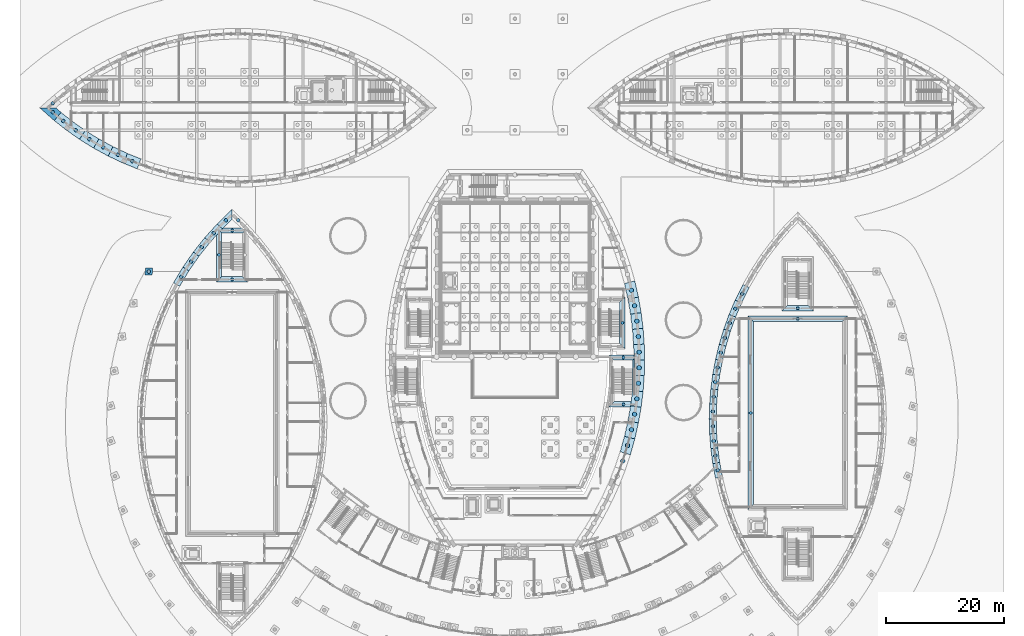
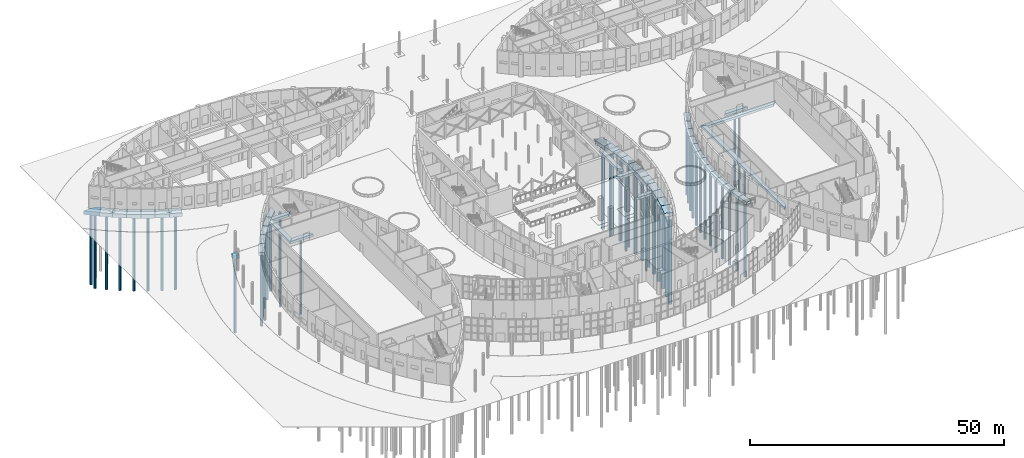
# One storey, part 5 of 82: 49 piles, 47 footings.
"""IFC4 building model written with IfcOpenShell, lengths in metres."""

from ifc_helpers import new_model, si_unit, direction, frame, origin, origin_2d, place, context, subcontext, project, spatial, polyline, rectangle, circle, outline, extrude, material, material_profile, profile_set, type_object, element, save


model = new_model("IFC4")

# Units and contexts
model_context = context("Model", 3, precision=1e-05, world=origin(), true_north=direction((0.0, 1.0)))
body_context = subcontext(model_context, "Body", "Model", "MODEL_VIEW")
ifc_project = project(units=[si_unit("LENGTHUNIT", "METRE"), si_unit("AREAUNIT", "SQUARE_METRE"), si_unit("VOLUMEUNIT", "CUBIC_METRE"), si_unit("PLANEANGLEUNIT", "RADIAN"), si_unit("MASSUNIT", "GRAM", prefix="KILO")], contexts=[model_context])

# Site, building, storey
site_placement = place(None, origin())
site = spatial("IfcSite", under=ifc_project, at=site_placement, CompositionType="ELEMENT")
building_placement = place(site_placement, origin())
building = spatial("IfcBuilding", under=site, at=building_placement, Name="Tide Square Theatres", CompositionType="ELEMENT")
storey_placement = place(building_placement, origin())
storey = spatial("IfcBuildingStorey", under=building, at=storey_placement, Name="L00", CompositionType="ELEMENT", Elevation=0.0)

# Piles
ifc_material_1 = material(Name="Concrete C30", Category="concrete")
ifc_material_profile_1 = material_profile(ifc_material_1, circle(Radius=0.25, at=origin_2d()))
ifc_profile_set_1 = profile_set([ifc_material_profile_1], Name="Concrete C30")
pile_type_1 = type_object("IfcPileType", Name="Bored pile D500", PredefinedType="BORED", material=ifc_profile_set_1)
for number, where, z_axis, x_axis, name in (
    (1, (102.22509765625, 61.300048828125, -0.699951171875), (0.0, 0.0, -1.0), (1.0, 0.0, 0.0), "Bored pile 006"),
    (2, (102.39990234375, 47.47509765625, -0.699951171875), (0.0, 0.0, -1.0), (1.0, 0.0, 0.0), "Bored pile 009"),
    (3, (102.39990234375, 55.425048828125, -0.699951171875), (0.0, 0.0, -1.0), (1.0, 0.0, 0.0), "Bored pile 010"),
    (4, (36.0, 76.97509765625, -0.699951171875), (0.0, 0.0, -1.0), (1.0, 0.0, 0.0), "Bored pile 062"),
    (5, (33.77490234375, 72.824951171875, -0.699951171875), (0.0, 0.0, -1.0), (1.0, 0.0, 0.0), "Bored pile 063"),
    (6, (36.0, 68.675048828125, -0.699951171875), (0.0, 0.0, -1.0), (1.0, 0.0, 0.0), "Bored pile 064"),
    (7, (132.0, 62.0, -0.699951171875), (0.0, 0.0, -1.0), (1.0, 0.0, 0.0), "Bored pile 057"),
    (8, (124.0, 46.0, -0.699951171875), (0.0, 0.0, -1.0), (1.0, 0.0, 0.0), "Bored pile 058"),
    (9, (132.0, 63.77490234375, -0.699951171875), (0.0, 0.0, -1.0), (1.0, 0.0, 0.0), "Bored pile 064"),
):
    element("IfcPile", number, at=place(storey_placement, frame(where, z_axis=z_axis, x_axis=x_axis)), inside=storey, type_object=pile_type_1, Name=name, PredefinedType="BORED", context=body_context, shape_type="SweptSolid", body=[
        extrude(circle(Radius=0.25, at=origin_2d()), origin(), (0.0, 0.0, 1.0), 18.14990234375),
    ])
ifc_material_2 = material(Name="Concrete C30", Category="concrete")
ifc_material_profile_2 = material_profile(ifc_material_2, circle(Radius=0.300048828125, at=origin_2d()))
ifc_profile_set_2 = profile_set([ifc_material_profile_2], Name="Concrete C30")
pile_type_2 = type_object("IfcPileType", Name="Bored pile D600", PredefinedType="BORED", material=ifc_profile_set_2)
for number, where, z_axis, x_axis, name in (
    (10, (21.8544921875, 70.0, -1.0), (0.0, 0.0, -1.0), (1.0, 0.0, 0.0), "Foyer bored pile"),
    (11, (37.049560546875, 78.701416015625, -0.800048828125), (0.0, 0.0, -1.0), (1.0, 0.0, 0.0), "Bored pile 028"),
    (12, (34.950439453125, 78.701416015625, -0.800048828125), (0.0, 0.0, -1.0), (1.0, 0.0, 0.0), "Bored pile 029"),
    (13, (32.856689453125, 76.5263671875, -0.800048828125), (0.0, 0.0, -1.0), (1.0, 0.0, 0.0), "Bored pile 030"),
    (14, (30.859619140625, 74.167236328125, -0.800048828125), (0.0, 0.0, -1.0), (1.0, 0.0, 0.0), "Bored pile 031"),
    (15, (29.031982421875, 71.70166015625, -0.800048828125), (0.0, 0.0, -1.0), (1.0, 0.0, 0.0), "Bored pile 032"),
    (16, (27.366455078125, 69.123779296875, -0.800048828125), (0.0, 0.0, -1.0), (1.0, 0.0, 0.0), "Bored pile 033"),
    (17, (122.5712890625, 66.2294921875, -0.800048828125), (0.0, 0.0, -1.0), (1.0, 0.0, 0.0), "Bored pile 034"),
    (18, (121.405517578125, 63.70751953125, -0.800048828125), (0.0, 0.0, -1.0), (1.0, 0.0, 0.0), "Bored pile 035"),
    (19, (120.444091796875, 61.263427734375, -0.800048828125), (0.0, 0.0, -1.0), (1.0, 0.0, 0.0), "Bored pile 036"),
    (20, (119.6181640625, 58.770263671875, -0.800048828125), (0.0, 0.0, -1.0), (1.0, 0.0, 0.0), "Bored pile 037"),
    (21, (118.9306640625, 56.235107421875, -0.800048828125), (0.0, 0.0, -1.0), (1.0, 0.0, 0.0), "Bored pile 038"),
    (22, (118.392822265625, 53.7255859375, -0.800048828125), (0.0, 0.0, -1.0), (1.0, 0.0, 0.0), "Bored pile 039"),
    (23, (118.0, 51.249755859375, -0.800048828125), (0.0, 0.0, -1.0), (1.0, 0.0, 0.0), "Bored pile 040"),
    (24, (117.7373046875, 48.756591796875, -0.800048828125), (0.0, 0.0, -1.0), (1.0, 0.0, 0.0), "Bored pile 041"),
    (25, (117.60595703125, 46.25341796875, -0.800048828125), (0.0, 0.0, -1.0), (1.0, 0.0, 0.0), "Bored pile 042"),
    (26, (117.60595703125, 43.74658203125, -0.800048828125), (0.0, 0.0, -1.0), (1.0, 0.0, 0.0), "Bored pile 043"),
    (27, (117.7373046875, 41.243408203125, -0.800048828125), (0.0, 0.0, -1.0), (1.0, 0.0, 0.0), "Bored pile 044"),
    (28, (118.0, 38.750244140625, -0.800048828125), (0.0, 0.0, -1.0), (1.0, 0.0, 0.0), "Bored pile 045"),
    (29, (118.392822265625, 36.2744140625, -0.800048828125), (0.0, 0.0, -1.0), (1.0, 0.0, 0.0), "Bored pile 046"),
    (30, (5.545166015625, 97.06005859375, -1.0), (0.0, 0.0, -1.0), (1.0, 0.0, 0.0), "Scenery Workshops wall pile 1"),
    (31, (7.353515625, 95.555908203125, -1.0), (0.0, 0.0, -1.0), (1.0, 0.0, 0.0), "Scenery Workshops wall pile 2"),
    (32, (9.452392578125, 93.992431640625, -1.0), (0.0, 0.0, -1.0), (1.0, 0.0, 0.0), "Scenery Workshops wall pile 3"),
    (33, (11.761474609375, 92.461181640625, -1.0), (0.0, 0.0, -1.0), (1.0, 0.0, 0.0), "Scenery Workshops wall pile 4"),
    (34, (14.155517578125, 91.06640625, -1.0), (0.0, 0.0, -1.0), (1.0, 0.0, 0.0), "Scenery Workshops wall pile 5"),
    (35, (16.62646484375, 89.812744140625, -1.0), (0.0, 0.0, -1.0), (1.0, 0.0, 0.0), "Scenery Workshops wall pile 6"),
    (36, (19.043701171875, 88.75, -1.0), (0.0, 0.0, -1.0), (1.0, 0.0, 0.0), "Scenery Workshops wall pile 7"),
    (37, (5.545166015625, 98.539794921875, -1.0), (0.0, 0.0, -1.0), (1.0, 0.0, 0.0), "Scenery Workshops wall pile 56"),
):
    element("IfcPile", number, at=place(storey_placement, frame(where, z_axis=z_axis, x_axis=x_axis)), inside=storey, type_object=pile_type_2, Name=name, PredefinedType="BORED", context=body_context, shape_type="SweptSolid", body=[
        extrude(circle(Radius=0.300048828125, at=origin_2d()), origin(), (0.0, 0.0, 1.0), 18.14990234375),
    ])
ifc_material_3 = material(Name="Concrete C30", Category="concrete")
ifc_material_profile_3 = material_profile(ifc_material_3, circle(Radius=0.375, at=origin_2d()))
ifc_profile_set_3 = profile_set([ifc_material_profile_3], Name="Concrete C30")
pile_type_3 = type_object("IfcPileType", Name="Bored pile D750", PredefinedType="BORED", material=ifc_profile_set_3)
for number, where, z_axis, x_axis, name in (
    (38, (102.285888671875, 37.857421875, -0.75), (0.0, 0.0, -1.0), (1.0, 0.0, 0.0), "Bored pile"),
    (39, (103.09619140625, 40.48681640625, -0.75), (0.0, 0.0, -1.0), (1.0, 0.0, 0.0), "Bored pile"),
    (40, (103.77099609375, 43.154296875, -0.75), (0.0, 0.0, -1.0), (1.0, 0.0, 0.0), "Bored pile"),
    (41, (104.30029296875, 45.79833984375, -0.75), (0.0, 0.0, -1.0), (1.0, 0.0, 0.0), "Bored pile"),
    (42, (104.6884765625, 48.411376953125, -0.75), (0.0, 0.0, -1.0), (1.0, 0.0, 0.0), "Bored pile"),
    (43, (104.94775390625, 51.04052734375, -0.75), (0.0, 0.0, -1.0), (1.0, 0.0, 0.0), "Bored pile"),
    (44, (105.077392578125, 53.67919921875, -0.75), (0.0, 0.0, -1.0), (1.0, 0.0, 0.0), "Bored pile"),
    (45, (105.077392578125, 56.32080078125, -0.75), (0.0, 0.0, -1.0), (1.0, 0.0, 0.0), "Bored pile"),
    (46, (104.94775390625, 58.95947265625, -0.75), (0.0, 0.0, -1.0), (1.0, 0.0, 0.0), "Bored pile"),
    (47, (104.6884765625, 61.588623046875, -0.75), (0.0, 0.0, -1.0), (1.0, 0.0, 0.0), "Bored pile"),
    (48, (104.30029296875, 64.20166015625, -0.75), (0.0, 0.0, -1.0), (1.0, 0.0, 0.0), "Bored pile"),
    (49, (103.77099609375, 66.845703125, -0.75), (0.0, 0.0, -1.0), (1.0, 0.0, 0.0), "Bored pile"),
):
    element("IfcPile", number, at=place(storey_placement, frame(where, z_axis=z_axis, x_axis=x_axis)), inside=storey, type_object=pile_type_3, Name=name, PredefinedType="BORED", context=body_context, shape_type="SweptSolid", body=[
        extrude(circle(Radius=0.375, at=origin_2d()), origin(), (0.0, 0.0, 1.0), 20.14990234375),
    ])

# Footings
ifc_material_4 = material(Name="Concrete C35", Category="concrete")
footing_type_1 = type_object("IfcFootingType", Name="Pile cap 1 piles D600", PredefinedType="PILE_CAP", material=ifc_material_4)
footing_1_placement = place(storey_placement, frame((21.8544921875, 70.0, -1.14990234375), z_axis=(0.0, 0.0, 1.0), x_axis=(-0.032166104697, -0.99948253697, 0.0)))
element("IfcFooting", 50, at=footing_1_placement, inside=storey, type_object=footing_type_1, Name="Foyer pile cap", PredefinedType="PILE_CAP", context=body_context, shape_type="SweptSolid", body=[
    extrude(rectangle(XDim=1.199951171875, YDim=1.199951171875, at=origin_2d()), origin(), (0.0, 0.0, 1.0), 0.89990234375),
])
ifc_material_5 = material(Name="Concrete C35", Category="concrete")
footing_type_2 = type_object("IfcFootingType", Name="Strip footing 1200 x 700", PredefinedType="STRIP_FOOTING", material=ifc_material_5)
footing_2_placement = place(storey_placement, frame((0.0, 0.0, -0.949951171875)))
element("IfcFooting", 51, at=footing_2_placement, inside=storey, type_object=footing_type_2, Name="Studio Theatre wall strip footing 029", PredefinedType="STRIP_FOOTING", context=body_context, shape_type="SweptSolid", body=[
    extrude(outline(polyline([(36.0, 80.5576171875), (33.46875, 78.0986328125), (34.3330078125, 77.26513671875), (36.0, 78.884521484375), (36.0, 80.5576171875)])), origin(), (0.0, 0.0, 1.0), 0.699951171875),
])
footing_3_placement = place(storey_placement, frame((0.0, 0.0, -0.949951171875)))
element("IfcFooting", 52, at=footing_3_placement, inside=storey, type_object=footing_type_2, Name="Studio Theatre wall strip footing 030", PredefinedType="STRIP_FOOTING", context=body_context, shape_type="SweptSolid", body=[
    extrude(outline(polyline([(33.46875, 78.0986328125), (31.354736328125, 75.758544921875), (32.27099609375, 74.98291015625), (34.3330078125, 77.26513671875), (33.46875, 78.0986328125)])), origin(), (0.0, 0.0, 1.0), 0.699951171875),
])
footing_4_placement = place(storey_placement, frame((0.0, 0.0, -0.949951171875)))
element("IfcFooting", 53, at=footing_4_placement, inside=storey, type_object=footing_type_2, Name="Studio Theatre wall strip footing 031", PredefinedType="STRIP_FOOTING", context=body_context, shape_type="SweptSolid", body=[
    extrude(outline(polyline([(31.354736328125, 75.758544921875), (29.423828125, 73.3212890625), (30.388427734375, 72.6064453125), (32.27099609375, 74.98291015625), (31.354736328125, 75.758544921875)])), origin(), (0.0, 0.0, 1.0), 0.699951171875),
])
footing_5_placement = place(storey_placement, frame((0.0, 0.0, -0.949951171875)))
element("IfcFooting", 54, at=footing_5_placement, inside=storey, type_object=footing_type_2, Name="Studio Theatre wall strip footing 032", PredefinedType="STRIP_FOOTING", context=body_context, shape_type="SweptSolid", body=[
    extrude(outline(polyline([(29.423828125, 73.3212890625), (27.653564453125, 70.765380859375), (28.662109375, 70.11376953125), (30.388427734375, 72.6064453125), (29.423828125, 73.3212890625)])), origin(), (0.0, 0.0, 1.0), 0.699951171875),
])
footing_6_placement = place(storey_placement, frame((0.0, 0.0, -0.949951171875)))
element("IfcFooting", 55, at=footing_6_placement, inside=storey, type_object=footing_type_2, Name="Studio Theatre wall strip footing 033", PredefinedType="STRIP_FOOTING", context=body_context, shape_type="SweptSolid", body=[
    extrude(outline(polyline([(27.653564453125, 70.765380859375), (26.051025390625, 68.100830078125), (27.09912109375, 67.515380859375), (28.662109375, 70.11376953125), (27.653564453125, 70.765380859375)])), origin(), (0.0, 0.0, 1.0), 0.699951171875),
])
footing_7_placement = place(storey_placement, frame((0.0, 0.0, -0.949951171875)))
element("IfcFooting", 56, at=footing_7_placement, inside=storey, type_object=footing_type_2, Name="Black Box Theatre wall strip footing 034", PredefinedType="STRIP_FOOTING", context=body_context, shape_type="SweptSolid", body=[
    extrude(outline(polyline([(122.693115234375, 67.825927734375), (121.37451171875, 65.167236328125), (122.465087890625, 64.665283203125), (123.751953125, 67.259765625), (122.693115234375, 67.825927734375)])), origin(), (0.0, 0.0, 1.0), 0.699951171875),
])
footing_8_placement = place(storey_placement, frame((0.0, 0.0, -0.949951171875)))
element("IfcFooting", 57, at=footing_8_placement, inside=storey, type_object=footing_type_2, Name="Black Box Theatre wall strip footing 035", PredefinedType="STRIP_FOOTING", context=body_context, shape_type="SweptSolid", body=[
    extrude(outline(polyline([(121.37451171875, 65.167236328125), (120.33251953125, 62.718505859375), (121.44970703125, 62.279052734375), (122.465087890625, 64.665283203125), (121.37451171875, 65.167236328125)])), origin(), (0.0, 0.0, 1.0), 0.699951171875),
])
footing_9_placement = place(storey_placement, frame((0.0, 0.0, -0.949951171875)))
element("IfcFooting", 58, at=footing_9_placement, inside=storey, type_object=footing_type_2, Name="Black Box Theatre wall strip footing 036", PredefinedType="STRIP_FOOTING", context=body_context, shape_type="SweptSolid", body=[
    extrude(outline(polyline([(120.33251953125, 62.718505859375), (119.427001953125, 60.216796875), (120.566650390625, 59.839599609375), (121.44970703125, 62.279052734375), (120.33251953125, 62.718505859375)])), origin(), (0.0, 0.0, 1.0), 0.699951171875),
])
footing_10_placement = place(storey_placement, frame((0.0, 0.0, -0.949951171875)))
element("IfcFooting", 59, at=footing_10_placement, inside=storey, type_object=footing_type_2, Name="Black Box Theatre wall strip footing 037", PredefinedType="STRIP_FOOTING", context=body_context, shape_type="SweptSolid", body=[
    extrude(outline(polyline([(119.427001953125, 60.216796875), (118.660400390625, 57.669189453125), (119.81884765625, 57.35498046875), (120.566650390625, 59.839599609375), (119.427001953125, 60.216796875)])), origin(), (0.0, 0.0, 1.0), 0.699951171875),
])
footing_11_placement = place(storey_placement, frame((0.0, 0.0, -0.949951171875)))
element("IfcFooting", 60, at=footing_11_placement, inside=storey, type_object=footing_type_2, Name="Black Box Theatre wall strip footing 038", PredefinedType="STRIP_FOOTING", context=body_context, shape_type="SweptSolid", body=[
    extrude(outline(polyline([(118.660400390625, 57.669189453125), (118.034912109375, 55.08349609375), (119.208740234375, 54.832763671875), (119.81884765625, 57.35498046875), (118.660400390625, 57.669189453125)])), origin(), (0.0, 0.0, 1.0), 0.699951171875),
])
footing_12_placement = place(storey_placement, frame((0.0, 0.0, -0.949951171875)))
element("IfcFooting", 61, at=footing_12_placement, inside=storey, type_object=footing_type_2, Name="Black Box Theatre wall strip footing 039", PredefinedType="STRIP_FOOTING", context=body_context, shape_type="SweptSolid", body=[
    extrude(outline(polyline([(118.034912109375, 55.08349609375), (117.571044921875, 52.5869140625), (118.756591796875, 52.398681640625), (119.208740234375, 54.832763671875), (118.034912109375, 55.08349609375)])), origin(), (0.0, 0.0, 1.0), 0.699951171875),
])
footing_13_placement = place(storey_placement, frame((0.0, 0.0, -0.949951171875)))
element("IfcFooting", 62, at=footing_13_placement, inside=storey, type_object=footing_type_2, Name="Black Box Theatre wall strip footing 040", PredefinedType="STRIP_FOOTING", context=body_context, shape_type="SweptSolid", body=[
    extrude(outline(polyline([(117.571044921875, 52.5869140625), (117.239013671875, 50.069580078125), (118.432861328125, 49.94384765625), (118.756591796875, 52.398681640625), (117.571044921875, 52.5869140625)])), origin(), (0.0, 0.0, 1.0), 0.699951171875),
])
footing_14_placement = place(storey_placement, frame((0.0, 0.0, -0.949951171875)))
element("IfcFooting", 63, at=footing_14_placement, inside=storey, type_object=footing_type_2, Name="Black Box Theatre wall strip footing 041", PredefinedType="STRIP_FOOTING", context=body_context, shape_type="SweptSolid", body=[
    extrude(outline(polyline([(117.239013671875, 50.069580078125), (117.039306640625, 47.538330078125), (118.238037109375, 47.475341796875), (118.432861328125, 49.94384765625), (117.239013671875, 50.069580078125)])), origin(), (0.0, 0.0, 1.0), 0.699951171875),
])
footing_15_placement = place(storey_placement, frame((0.0, 0.0, -0.949951171875)))
element("IfcFooting", 64, at=footing_15_placement, inside=storey, type_object=footing_type_2, Name="Black Box Theatre wall strip footing 042", PredefinedType="STRIP_FOOTING", context=body_context, shape_type="SweptSolid", body=[
    extrude(outline(polyline([(117.039306640625, 47.538330078125), (116.972900390625, 45.0), (118.173095703125, 45.0), (118.238037109375, 47.475341796875), (117.039306640625, 47.538330078125)])), origin(), (0.0, 0.0, 1.0), 0.699951171875),
])
footing_16_placement = place(storey_placement, frame((0.0, 0.0, -0.949951171875)))
element("IfcFooting", 65, at=footing_16_placement, inside=storey, type_object=footing_type_2, Name="Black Box Theatre wall strip footing 043", PredefinedType="STRIP_FOOTING", context=body_context, shape_type="SweptSolid", body=[
    extrude(outline(polyline([(116.972900390625, 45.0), (117.039306640625, 42.461669921875), (118.238037109375, 42.524658203125), (118.173095703125, 45.0), (116.972900390625, 45.0)])), origin(), (0.0, 0.0, 1.0), 0.699951171875),
])
footing_17_placement = place(storey_placement, frame((0.0, 0.0, -0.949951171875)))
element("IfcFooting", 66, at=footing_17_placement, inside=storey, type_object=footing_type_2, Name="Black Box Theatre wall strip footing 044", PredefinedType="STRIP_FOOTING", context=body_context, shape_type="SweptSolid", body=[
    extrude(outline(polyline([(117.039306640625, 42.461669921875), (117.239013671875, 39.930419921875), (118.432861328125, 40.05615234375), (118.238037109375, 42.524658203125), (117.039306640625, 42.461669921875)])), origin(), (0.0, 0.0, 1.0), 0.699951171875),
])
footing_18_placement = place(storey_placement, frame((0.0, 0.0, -0.949951171875)))
element("IfcFooting", 67, at=footing_18_placement, inside=storey, type_object=footing_type_2, Name="Black Box Theatre wall strip footing 045", PredefinedType="STRIP_FOOTING", context=body_context, shape_type="SweptSolid", body=[
    extrude(outline(polyline([(117.239013671875, 39.930419921875), (117.571044921875, 37.4130859375), (118.756591796875, 37.601318359375), (118.432861328125, 40.05615234375), (117.239013671875, 39.930419921875)])), origin(), (0.0, 0.0, 1.0), 0.699951171875),
])
footing_19_placement = place(storey_placement, frame((0.0, 0.0, -0.949951171875)))
element("IfcFooting", 68, at=footing_19_placement, inside=storey, type_object=footing_type_2, Name="Black Box Theatre wall strip footing 046", PredefinedType="STRIP_FOOTING", context=body_context, shape_type="SweptSolid", body=[
    extrude(outline(polyline([(117.571044921875, 37.4130859375), (118.034912109375, 34.91650390625), (119.208740234375, 35.167236328125), (118.756591796875, 37.601318359375), (117.571044921875, 37.4130859375)])), origin(), (0.0, 0.0, 1.0), 0.699951171875),
])
ifc_material_6 = material(Name="Concrete C35", Category="concrete")
footing_type_3 = type_object("IfcFootingType", Name="Strip footing 1800 x 900", PredefinedType="STRIP_FOOTING", material=ifc_material_6)
footing_20_placement = place(storey_placement, frame((0.0, 0.0, -0.89990234375)))
element("IfcFooting", 69, at=footing_20_placement, inside=storey, type_object=footing_type_3, Name="Strip footing", PredefinedType="STRIP_FOOTING", context=body_context, shape_type="SweptSolid", body=[
    extrude(outline(polyline([(103.5849609375, 38.896484375), (104.340576171875, 41.591064453125), (102.594970703125, 42.03271484375), (101.8642578125, 39.427001953125), (103.5849609375, 38.896484375)])), origin(), (0.0, 0.0, 1.0), 0.89990234375),
])
footing_21_placement = place(storey_placement, frame((0.0, 0.0, -0.89990234375)))
element("IfcFooting", 70, at=footing_21_placement, inside=storey, type_object=footing_type_3, Name="Strip footing", PredefinedType="STRIP_FOOTING", context=body_context, shape_type="SweptSolid", body=[
    extrude(outline(polyline([(104.340576171875, 41.591064453125), (104.95703125, 44.3203125), (103.19140625, 44.6728515625), (102.594970703125, 42.03271484375), (104.340576171875, 41.591064453125)])), origin(), (0.0, 0.0, 1.0), 0.89990234375),
])
footing_22_placement = place(storey_placement, frame((0.0, 0.0, -0.89990234375)))
element("IfcFooting", 71, at=footing_22_placement, inside=storey, type_object=footing_type_3, Name="Strip footing", PredefinedType="STRIP_FOOTING", context=body_context, shape_type="SweptSolid", body=[
    extrude(outline(polyline([(104.95703125, 44.3203125), (105.4169921875, 46.9677734375), (103.635986328125, 47.232421875), (103.19140625, 44.6728515625), (104.95703125, 44.3203125)])), origin(), (0.0, 0.0, 1.0), 0.89990234375),
])
footing_23_placement = place(storey_placement, frame((0.0, 0.0, -0.89990234375)))
element("IfcFooting", 72, at=footing_23_placement, inside=storey, type_object=footing_type_3, Name="Strip footing", PredefinedType="STRIP_FOOTING", context=body_context, shape_type="SweptSolid", body=[
    extrude(outline(polyline([(105.4169921875, 46.9677734375), (105.746337890625, 49.634521484375), (103.95458984375, 49.81103515625), (103.635986328125, 47.232421875), (105.4169921875, 46.9677734375)])), origin(), (0.0, 0.0, 1.0), 0.89990234375),
])
footing_24_placement = place(storey_placement, frame((0.0, 0.0, -0.89990234375)))
element("IfcFooting", 73, at=footing_24_placement, inside=storey, type_object=footing_type_3, Name="Strip footing", PredefinedType="STRIP_FOOTING", context=body_context, shape_type="SweptSolid", body=[
    extrude(outline(polyline([(105.746337890625, 49.634521484375), (105.944091796875, 52.31396484375), (104.14599609375, 52.40234375), (103.95458984375, 49.81103515625), (105.746337890625, 49.634521484375)])), origin(), (0.0, 0.0, 1.0), 0.89990234375),
])
footing_25_placement = place(storey_placement, frame((0.0, 0.0, -0.89990234375)))
element("IfcFooting", 74, at=footing_25_placement, inside=storey, type_object=footing_type_3, Name="Strip footing", PredefinedType="STRIP_FOOTING", context=body_context, shape_type="SweptSolid", body=[
    extrude(outline(polyline([(105.944091796875, 52.31396484375), (106.01025390625, 55.0), (104.209716796875, 55.0), (104.14599609375, 52.40234375), (105.944091796875, 52.31396484375)])), origin(), (0.0, 0.0, 1.0), 0.89990234375),
])
footing_26_placement = place(storey_placement, frame((0.0, 0.0, -0.89990234375)))
element("IfcFooting", 75, at=footing_26_placement, inside=storey, type_object=footing_type_3, Name="Strip footing", PredefinedType="STRIP_FOOTING", context=body_context, shape_type="SweptSolid", body=[
    extrude(outline(polyline([(106.01025390625, 55.0), (105.944091796875, 57.68603515625), (104.14599609375, 57.59765625), (104.209716796875, 55.0), (106.01025390625, 55.0)])), origin(), (0.0, 0.0, 1.0), 0.89990234375),
])
footing_27_placement = place(storey_placement, frame((0.0, 0.0, -0.89990234375)))
element("IfcFooting", 76, at=footing_27_placement, inside=storey, type_object=footing_type_3, Name="Strip footing", PredefinedType="STRIP_FOOTING", context=body_context, shape_type="SweptSolid", body=[
    extrude(outline(polyline([(105.944091796875, 57.68603515625), (105.746337890625, 60.365478515625), (103.95458984375, 60.18896484375), (104.14599609375, 57.59765625), (105.944091796875, 57.68603515625)])), origin(), (0.0, 0.0, 1.0), 0.89990234375),
])
footing_28_placement = place(storey_placement, frame((0.0, 0.0, -0.89990234375)))
element("IfcFooting", 77, at=footing_28_placement, inside=storey, type_object=footing_type_3, Name="Strip footing", PredefinedType="STRIP_FOOTING", context=body_context, shape_type="SweptSolid", body=[
    extrude(outline(polyline([(105.746337890625, 60.365478515625), (105.4169921875, 63.0322265625), (103.635986328125, 62.767578125), (103.95458984375, 60.18896484375), (105.746337890625, 60.365478515625)])), origin(), (0.0, 0.0, 1.0), 0.89990234375),
])
footing_29_placement = place(storey_placement, frame((0.0, 0.0, -0.89990234375)))
element("IfcFooting", 78, at=footing_29_placement, inside=storey, type_object=footing_type_3, Name="Strip footing", PredefinedType="STRIP_FOOTING", context=body_context, shape_type="SweptSolid", body=[
    extrude(outline(polyline([(105.4169921875, 63.0322265625), (104.95703125, 65.6796875), (103.19140625, 65.3271484375), (103.635986328125, 62.767578125), (105.4169921875, 63.0322265625)])), origin(), (0.0, 0.0, 1.0), 0.89990234375),
])
footing_30_placement = place(storey_placement, frame((0.0, 0.0, -0.89990234375)))
element("IfcFooting", 79, at=footing_30_placement, inside=storey, type_object=footing_type_3, Name="Strip footing", PredefinedType="STRIP_FOOTING", context=body_context, shape_type="SweptSolid", body=[
    extrude(outline(polyline([(104.95703125, 65.6796875), (104.340576171875, 68.408935546875), (102.594970703125, 67.96728515625), (103.19140625, 65.3271484375), (104.95703125, 65.6796875)])), origin(), (0.0, 0.0, 1.0), 0.89990234375),
])
footing_31_placement = place(storey_placement, frame((0.0, 0.0, -1.14990234375)))
element("IfcFooting", 80, at=footing_31_placement, inside=storey, type_object=footing_type_3, Name="Scenery Workshops strip footing 1", PredefinedType="STRIP_FOOTING", context=body_context, shape_type="SweptSolid", body=[
    extrude(outline(polyline([(3.33935546875, 97.800048828125), (5.810791015625, 95.62890625), (6.9638671875, 97.01171875), (6.066650390625, 97.800048828125), (3.33935546875, 97.800048828125)])), origin(), (0.0, 0.0, 1.0), 0.89990234375),
])
footing_32_placement = place(storey_placement, frame((0.0, 0.0, -1.14990234375)))
element("IfcFooting", 81, at=footing_32_placement, inside=storey, type_object=footing_type_3, Name="Scenery Workshops strip footing 2", PredefinedType="STRIP_FOOTING", context=body_context, shape_type="SweptSolid", body=[
    extrude(outline(polyline([(5.810791015625, 95.62890625), (7.78076171875, 94.0703125), (8.85888671875, 95.5126953125), (6.9638671875, 97.01171875), (5.810791015625, 95.62890625)])), origin(), (0.0, 0.0, 1.0), 0.89990234375),
])
footing_33_placement = place(storey_placement, frame((0.0, 0.0, -1.14990234375)))
element("IfcFooting", 82, at=footing_33_placement, inside=storey, type_object=footing_type_3, Name="Scenery Workshops strip footing 3", PredefinedType="STRIP_FOOTING", context=body_context, shape_type="SweptSolid", body=[
    extrude(outline(polyline([(7.78076171875, 94.0703125), (10.087158203125, 92.44287109375), (11.082275390625, 93.943603515625), (8.85888671875, 95.5126953125), (7.78076171875, 94.0703125)])), origin(), (0.0, 0.0, 1.0), 0.89990234375),
])
footing_34_placement = place(storey_placement, frame((0.0, 0.0, -1.14990234375)))
element("IfcFooting", 83, at=footing_34_placement, inside=storey, type_object=footing_type_3, Name="Scenery Workshops strip footing 4", PredefinedType="STRIP_FOOTING", context=body_context, shape_type="SweptSolid", body=[
    extrude(outline(polyline([(10.087158203125, 92.44287109375), (12.485107421875, 90.951171875), (13.3916015625, 92.507080078125), (11.082275390625, 93.943603515625), (10.087158203125, 92.44287109375)])), origin(), (0.0, 0.0, 1.0), 0.89990234375),
])
footing_35_placement = place(storey_placement, frame((0.0, 0.0, -1.14990234375)))
element("IfcFooting", 84, at=footing_35_placement, inside=storey, type_object=footing_type_3, Name="Scenery Workshops strip footing 5", PredefinedType="STRIP_FOOTING", context=body_context, shape_type="SweptSolid", body=[
    extrude(outline(polyline([(12.485107421875, 90.951171875), (14.965576171875, 89.600830078125), (15.7802734375, 91.206787109375), (13.3916015625, 92.507080078125), (12.485107421875, 90.951171875)])), origin(), (0.0, 0.0, 1.0), 0.89990234375),
])
footing_36_placement = place(storey_placement, frame((0.0, 0.0, -1.14990234375)))
element("IfcFooting", 85, at=footing_36_placement, inside=storey, type_object=footing_type_3, Name="Scenery Workshops strip footing 6", PredefinedType="STRIP_FOOTING", context=body_context, shape_type="SweptSolid", body=[
    extrude(outline(polyline([(14.965576171875, 89.600830078125), (17.51904296875, 88.39697265625), (18.241455078125, 90.04638671875), (15.7802734375, 91.206787109375), (14.965576171875, 89.600830078125)])), origin(), (0.0, 0.0, 1.0), 0.89990234375),
])
footing_37_placement = place(storey_placement, frame((0.0, 0.0, -1.14990234375)))
element("IfcFooting", 86, at=footing_37_placement, inside=storey, type_object=footing_type_3, Name="Scenery Workshops strip footing 7", PredefinedType="STRIP_FOOTING", context=body_context, shape_type="SweptSolid", body=[
    extrude(outline(polyline([(17.51904296875, 88.39697265625), (19.890869140625, 87.435302734375), (20.5234375, 89.12109375), (18.241455078125, 90.04638671875), (17.51904296875, 88.39697265625)])), origin(), (0.0, 0.0, 1.0), 0.89990234375),
])
ifc_material_7 = material(Name="Concrete C35", Category="concrete")
footing_type_4 = type_object("IfcFootingType", Name="Strip footing 900 x 600", PredefinedType="STRIP_FOOTING", material=ifc_material_7)
footing_38_placement = place(storey_placement, frame((0.0, 0.0, -0.85009765625)))
element("IfcFooting", 87, at=footing_38_placement, inside=storey, type_object=footing_type_4, Name="Main Theatre East Stair wall footing 008", PredefinedType="STRIP_FOOTING", context=body_context, shape_type="SweptSolid", body=[
    extrude(outline(polyline([(102.675048828125, 56.875), (102.675048828125, 65.72509765625), (101.77490234375, 64.824951171875), (101.77490234375, 57.77490234375), (102.675048828125, 56.875)])), origin(), (0.0, 0.0, 1.0), 0.60009765625),
])
footing_39_placement = place(storey_placement, frame((0.0, 0.0, -0.85009765625)))
element("IfcFooting", 88, at=footing_39_placement, inside=storey, type_object=footing_type_4, Name="Main Theatre East Circle Stair wall footing 013", PredefinedType="STRIP_FOOTING", context=body_context, shape_type="SweptSolid", body=[
    extrude(outline(polyline([(103.97509765625, 54.97509765625), (100.824951171875, 54.97509765625), (99.925048828125, 55.875), (104.188232421875, 55.875), (104.20458984375, 55.20458984375), (103.97509765625, 54.97509765625)])), origin(), (0.0, 0.0, 1.0), 0.60009765625),
])
footing_40_placement = place(storey_placement, frame((0.0, 0.0, -0.85009765625)))
element("IfcFooting", 89, at=footing_40_placement, inside=storey, type_object=footing_type_4, Name="Main Theatre East Circle Stair wall footing 015", PredefinedType="STRIP_FOOTING", context=body_context, shape_type="SweptSolid", body=[
    extrude(outline(polyline([(99.925048828125, 47.02490234375), (100.824951171875, 47.925048828125), (103.7216796875, 47.925048828125), (103.635986328125, 47.232421875), (103.60009765625, 47.02490234375), (99.925048828125, 47.02490234375)])), origin(), (0.0, 0.0, 1.0), 0.60009765625),
])
footing_41_placement = place(storey_placement, frame((0.0, 0.0, -0.85009765625)))
element("IfcFooting", 90, at=footing_41_placement, inside=storey, type_object=footing_type_4, Name="Main Theatre East Circle Stair wall footing 016", PredefinedType="STRIP_FOOTING", context=body_context, shape_type="SweptSolid", body=[
    extrude(outline(polyline([(104.875, 47.02490234375), (104.875, 55.875), (103.97509765625, 54.97509765625), (103.97509765625, 47.925048828125), (104.875, 47.02490234375)])), origin(), (0.0, 0.0, 1.0), 0.60009765625),
])
footing_42_placement = place(storey_placement, frame((0.0, 0.0, -0.85009765625)))
element("IfcFooting", 91, at=footing_42_placement, inside=storey, type_object=footing_type_4, Name="Studio Theatre stair shaft strip footing 062", PredefinedType="STRIP_FOOTING", context=body_context, shape_type="SweptSolid", body=[
    extrude(outline(polyline([(38.675048828125, 77.425048828125), (33.324951171875, 77.425048828125), (34.22509765625, 76.52490234375), (37.77490234375, 76.52490234375), (38.675048828125, 77.425048828125)])), origin(), (0.0, 0.0, 1.0), 0.60009765625),
])
footing_43_placement = place(storey_placement, frame((0.0, 0.0, -0.85009765625)))
element("IfcFooting", 92, at=footing_43_placement, inside=storey, type_object=footing_type_4, Name="Studio Theatre stair shaft strip footing 063", PredefinedType="STRIP_FOOTING", context=body_context, shape_type="SweptSolid", body=[
    extrude(outline(polyline([(33.324951171875, 77.425048828125), (33.324951171875, 68.22509765625), (34.22509765625, 69.125), (34.22509765625, 76.52490234375), (33.324951171875, 77.425048828125)])), origin(), (0.0, 0.0, 1.0), 0.60009765625),
])
footing_44_placement = place(storey_placement, frame((0.0, 0.0, -0.85009765625)))
element("IfcFooting", 93, at=footing_44_placement, inside=storey, type_object=footing_type_4, Name="Studio Theatre stair shaft strip footing 064", PredefinedType="STRIP_FOOTING", context=body_context, shape_type="SweptSolid", body=[
    extrude(outline(polyline([(33.324951171875, 68.22509765625), (38.675048828125, 68.22509765625), (37.77490234375, 69.125), (34.22509765625, 69.125), (33.324951171875, 68.22509765625)])), origin(), (0.0, 0.0, 1.0), 0.60009765625),
])
footing_45_placement = place(storey_placement, frame((0.0, 0.0, -0.85009765625)))
element("IfcFooting", 94, at=footing_45_placement, inside=storey, type_object=footing_type_4, Name="Black Box Theatre auditorium strip footing 057", PredefinedType="STRIP_FOOTING", context=body_context, shape_type="SweptSolid", body=[
    extrude(outline(polyline([(140.449951171875, 62.449951171875), (123.550048828125, 62.449951171875), (124.449951171875, 61.550048828125), (139.550048828125, 61.550048828125), (140.449951171875, 62.449951171875)])), origin(), (0.0, 0.0, 1.0), 0.60009765625),
])
footing_46_placement = place(storey_placement, frame((0.0, 0.0, -0.85009765625)))
element("IfcFooting", 95, at=footing_46_placement, inside=storey, type_object=footing_type_4, Name="Black Box Theatre auditorium strip footing 058", PredefinedType="STRIP_FOOTING", context=body_context, shape_type="SweptSolid", body=[
    extrude(outline(polyline([(123.550048828125, 62.449951171875), (123.550048828125, 29.550048828125), (124.449951171875, 30.449951171875), (124.449951171875, 61.550048828125), (123.550048828125, 62.449951171875)])), origin(), (0.0, 0.0, 1.0), 0.60009765625),
])
footing_47_placement = place(storey_placement, frame((0.0, 0.0, -0.85009765625)))
element("IfcFooting", 96, at=footing_47_placement, inside=storey, type_object=footing_type_4, Name="Black Box Theatre stair shaft strip footing 064", PredefinedType="STRIP_FOOTING", context=body_context, shape_type="SweptSolid", body=[
    extrude(outline(polyline([(129.324951171875, 63.324951171875), (134.675048828125, 63.324951171875), (133.77490234375, 64.22509765625), (130.22509765625, 64.22509765625), (129.324951171875, 63.324951171875)])), origin(), (0.0, 0.0, 1.0), 0.60009765625),
])

save(model, "model.ifc")
